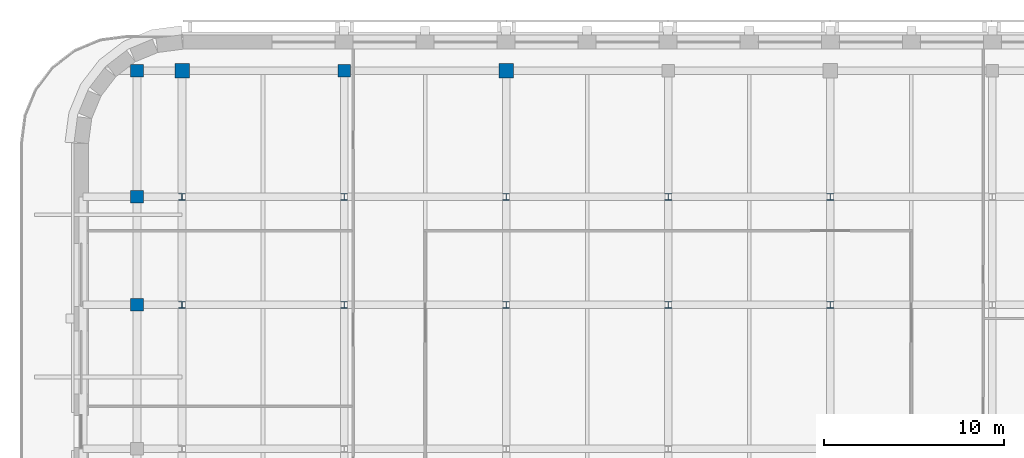
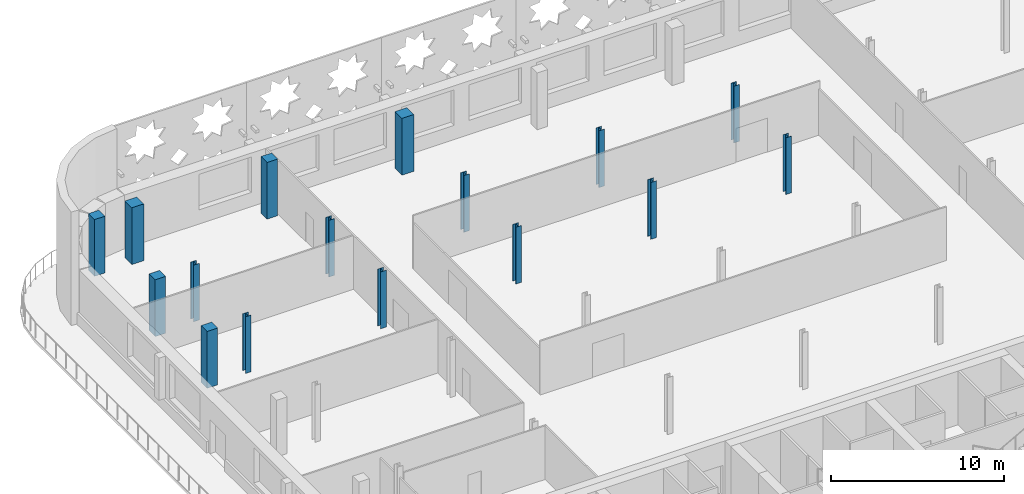
# One storey, part 3 of 15: 16 columns.
"""IFC4 building model written with IfcOpenShell, lengths in metres."""

from ifc_helpers import new_model, si_unit, direction, frame, origin, origin_2d, place, context, subcontext, project, spatial, rectangle, i_section, extrude, material, material_profile, profile_set, type_object, element, save


model = new_model("IFC4")

# Units and contexts
model_context = context("Model", 3, precision=1e-05, world=origin(), true_north=direction((0.0, 1.0)))
body_context = subcontext(model_context, "Body", "Model", "MODEL_VIEW")
ifc_project = project(units=[si_unit("LENGTHUNIT", "METRE"), si_unit("AREAUNIT", "SQUARE_METRE"), si_unit("VOLUMEUNIT", "CUBIC_METRE"), si_unit("PLANEANGLEUNIT", "RADIAN"), si_unit("MASSUNIT", "GRAM", prefix="KILO")], contexts=[model_context])

# Site, building, storey
site_placement = place(None, origin())
site = spatial("IfcSite", under=ifc_project, at=site_placement, CompositionType="ELEMENT")
building_placement = place(site_placement, origin())
building = spatial("IfcBuilding", under=site, at=building_placement, Name="Zellij Exchange Tower", CompositionType="ELEMENT")
storey_placement = place(building_placement, frame((0.0, 0.0, 284.5)))
storey = spatial("IfcBuildingStorey", under=building, at=storey_placement, Name="L67", CompositionType="ELEMENT", Elevation=284.5)

# Columns
ifc_material_1 = material(Name="Concrete C50/60", Category="concrete")
ifc_material_profile_1 = material_profile(ifc_material_1, rectangle(XDim=0.699951171875, YDim=0.699951171875, at=origin_2d()), Name="STR-COLUMN RC700x700 C50/60")
ifc_profile_set_1 = profile_set([ifc_material_profile_1], Name="Concrete C50/60")
column_type_1 = type_object("IfcColumnType", Name="STR-COLUMN RC700x700 C50/60", PredefinedType="COLUMN", material=ifc_profile_set_1)
for number, where, z_axis, x_axis, name in (
    (1, (-29.5, 22.0, 0.0), (0.0, 0.0, 1.0), (1.0, 0.0, 0.0), "C14"),
    (2, (-29.5, 28.0, 0.0), (0.0, 0.0, 1.0), (1.0, 0.0, 0.0), "C14"),
    (3, (-29.5, 35.0, 0.0), (0.0, 0.0, 1.0), (1.0, 0.0, 0.0), "C14"),
    (4, (-18.0, 35.0, 0.0), (0.0, 0.0, 1.0), (1.0, 0.0, 0.0), "C14"),
):
    element("IfcColumn", number, at=place(storey_placement, frame(where, z_axis=z_axis, x_axis=x_axis)), inside=storey, type_object=column_type_1, Name=name, PredefinedType="COLUMN", context=body_context, shape_type="SweptSolid", body=[
        extrude(rectangle(XDim=0.699951171875, YDim=0.699951171875, at=origin_2d()), origin(), (0.0, 0.0, 1.0), 4.0),
    ])
ifc_material_2 = material(Name="Structural steel ASTM A992 Gr 50", Category="steel")
ifc_material_profile_2 = material_profile(ifc_material_2, i_section(OverallWidth=0.368408203125, OverallDepth=0.355712890625, WebThickness=0.01123046875, FlangeThickness=0.01806640625, at=origin_2d()), Name="W14x90")
ifc_profile_set_2 = profile_set([ifc_material_profile_2], Name="Structural steel ASTM A992 Gr 50")
column_type_2 = type_object("IfcColumnType", Name="STR-COLUMN W14x90", PredefinedType="COLUMN", material=ifc_profile_set_2)
for number, where, z_axis, x_axis, name in (
    (5, (-27.0, 22.0, 0.0), (0.0, 0.0, 1.0), (1.0, 0.0, 0.0), "C8"),
    (6, (-18.0, 22.0, 0.0), (0.0, 0.0, 1.0), (1.0, 0.0, 0.0), "C8"),
    (7, (-9.0, 22.0, 0.0), (0.0, 0.0, 1.0), (1.0, 0.0, 0.0), "C8"),
    (8, (0.0, 22.0, 0.0), (0.0, 0.0, 1.0), (1.0, 0.0, 0.0), "C8"),
    (9, (9.0, 22.0, 0.0), (0.0, 0.0, 1.0), (1.0, 0.0, 0.0), "C8"),
    (10, (-27.0, 28.0, 0.0), (0.0, 0.0, 1.0), (1.0, 0.0, 0.0), "C8"),
    (11, (-18.0, 28.0, 0.0), (0.0, 0.0, 1.0), (1.0, 0.0, 0.0), "C8"),
    (12, (-9.0, 28.0, 0.0), (0.0, 0.0, 1.0), (1.0, 0.0, 0.0), "C8"),
    (13, (0.0, 28.0, 0.0), (0.0, 0.0, 1.0), (1.0, 0.0, 0.0), "C8"),
    (14, (9.0, 28.0, 0.0), (0.0, 0.0, 1.0), (1.0, 0.0, 0.0), "C8"),
):
    element("IfcColumn", number, at=place(storey_placement, frame(where, z_axis=z_axis, x_axis=x_axis)), inside=storey, type_object=column_type_2, Name=name, PredefinedType="COLUMN", context=body_context, shape_type="SweptSolid", body=[
        extrude(i_section(OverallWidth=0.368408203125, OverallDepth=0.355712890625, WebThickness=0.01123046875, FlangeThickness=0.01806640625, at=origin_2d()), origin(), (0.0, 0.0, 1.0), 4.0),
    ])
ifc_material_profile_3 = material_profile(ifc_material_1, rectangle(XDim=0.800048828125, YDim=0.800048828125, at=origin_2d()), Name="STR-MEGA COLUMN RC800x800 C50/60")
ifc_profile_set_3 = profile_set([ifc_material_profile_3], Name="Concrete C50/60")
column_type_3 = type_object("IfcColumnType", Name="STR-MEGA COLUMN RC800x800 C50/60", PredefinedType="COLUMN", material=ifc_profile_set_3)
for number, where, z_axis, x_axis, name in (
    (15, (-27.0, 35.0, 0.0), (0.0, 0.0, 1.0), (1.0, 0.0, 0.0), "MC10"),
    (16, (-9.0, 35.0, 0.0), (0.0, 0.0, 1.0), (1.0, 0.0, 0.0), "MC10"),
):
    element("IfcColumn", number, at=place(storey_placement, frame(where, z_axis=z_axis, x_axis=x_axis)), inside=storey, type_object=column_type_3, Name=name, PredefinedType="COLUMN", context=body_context, shape_type="SweptSolid", body=[
        extrude(rectangle(XDim=0.800048828125, YDim=0.800048828125, at=origin_2d()), origin(), (0.0, 0.0, 1.0), 4.0),
    ])

save(model, "model.ifc")
